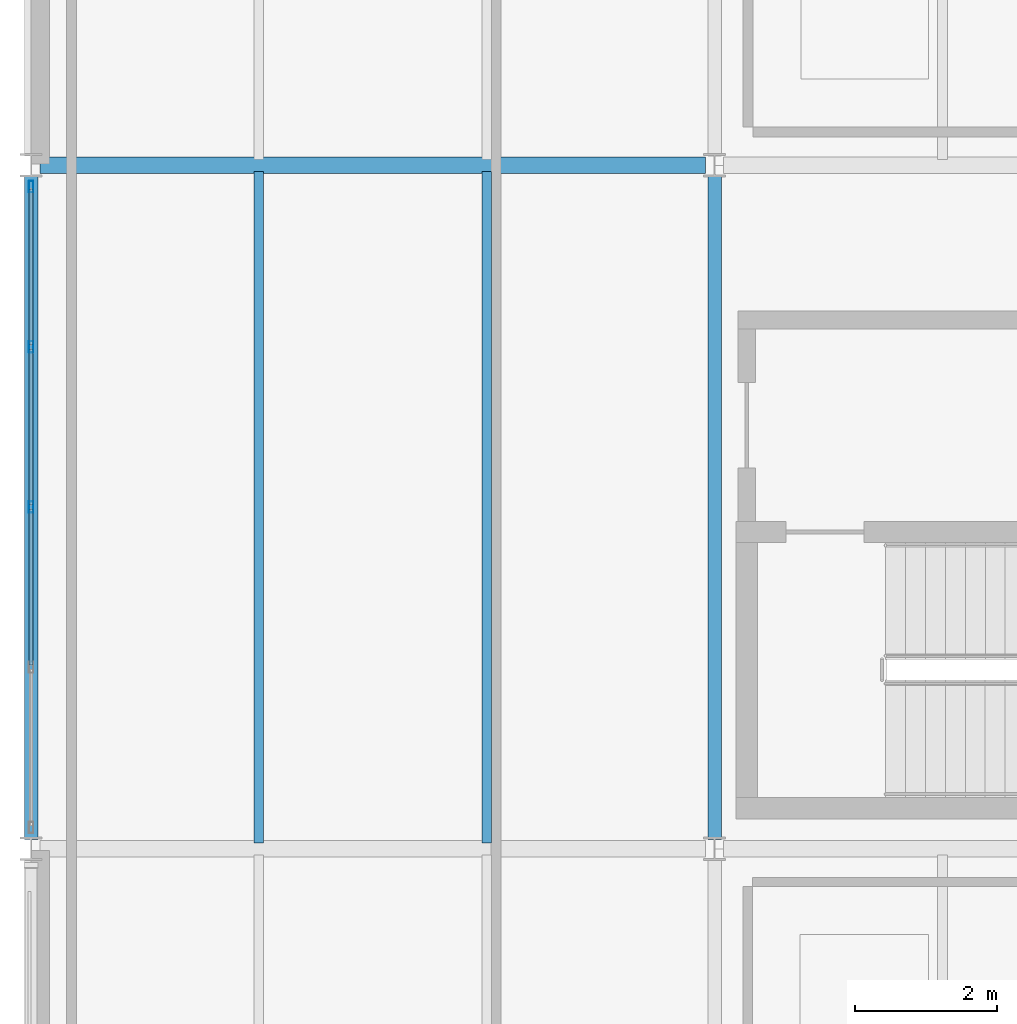
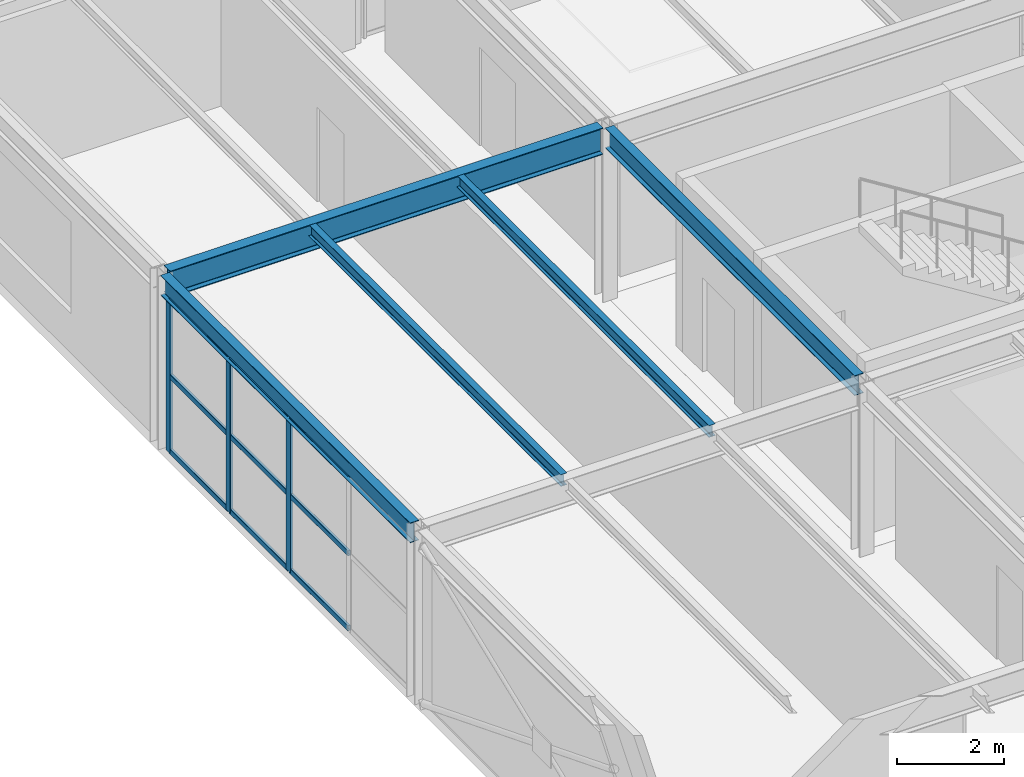
# One storey, part 28 of 50: 12 members, 5 beams, 1 element without a shape of its own.
"""IFC4 building model written with IfcOpenShell, lengths in metres."""

from ifc_helpers import new_model, si_unit, direction, frame, origin, origin_2d, place, context, subcontext, project, spatial, hollow_rectangle, i_section, extrude, material, material_profile, profile_set, type_object, element, aggregate, save


model = new_model("IFC4")

# Units and contexts
model_context = context("Model", 3, precision=1e-05, world=origin(), true_north=direction((0.0, 1.0)))
body_context = subcontext(model_context, "Body", "Model", "MODEL_VIEW")
ifc_project = project(units=[si_unit("LENGTHUNIT", "METRE"), si_unit("AREAUNIT", "SQUARE_METRE"), si_unit("VOLUMEUNIT", "CUBIC_METRE"), si_unit("PLANEANGLEUNIT", "RADIAN"), si_unit("MASSUNIT", "GRAM", prefix="KILO")], contexts=[model_context])

# Site, building, storey
site_placement = place(None, origin())
site = spatial("IfcSite", under=ifc_project, at=site_placement, CompositionType="ELEMENT")
building_placement = place(site_placement, origin())
building = spatial("IfcBuilding", under=site, at=building_placement, Name="Coralgate Yard Interchange", CompositionType="ELEMENT")
storey_placement = place(building_placement, frame((0.0, 0.0, 14.699951171875)))
storey = spatial("IfcBuildingStorey", under=building, at=storey_placement, Name="L03", CompositionType="ELEMENT", Elevation=14.699951171875)

# Beams
ifc_material_1 = material(Name="Structural steel S355J2", Category="steel")
ifc_material_profile_1 = material_profile(ifc_material_1, i_section(OverallWidth=0.1904296875, OverallDepth=0.45703125, WebThickness=0.009033203125, FlangeThickness=0.014404296875, FilletRadius=0.01025390625, at=origin_2d()), Name="UB 457x191x74")
ifc_profile_set_1 = profile_set([ifc_material_profile_1], Name="Structural steel S355J2")
beam_type_1 = type_object("IfcBeamType", Name="BM-SB-2", PredefinedType="BEAM", material=ifc_profile_set_1)
for number, where, z_axis, x_axis, name in (
    (1, (0.0, 28.93359375, 3.721435546875), (0.0, 1.0, 0.0), (-1.0, 0.0, 0.0), "L03 primary grid girder X0 Y3-4"),
    (2, (9.60009765625, 28.93359375, 3.721435546875), (0.0, 1.0, 0.0), (-1.0, 0.0, 0.0), "L03 primary grid girder X1 Y3-4"),
):
    element("IfcBeam", number, at=place(storey_placement, frame(where, z_axis=z_axis, x_axis=x_axis)), inside=storey, type_object=beam_type_1, Name=name, PredefinedType="BEAM", context=body_context, shape_type="SweptSolid", body=[
        extrude(i_section(OverallWidth=0.1904296875, OverallDepth=0.45703125, WebThickness=0.009033203125, FlangeThickness=0.014404296875, FilletRadius=0.01025390625, at=origin_2d()), origin(), (0.0, 0.0, 1.0), 9.332763671875),
    ])
ifc_material_profile_2 = material_profile(ifc_material_1, i_section(OverallWidth=0.228271484375, OverallDepth=0.607666015625, WebThickness=0.010986328125, FlangeThickness=0.017333984375, FilletRadius=0.0126953125, at=origin_2d()), Name="UB 610x229x113")
ifc_profile_set_2 = profile_set([ifc_material_profile_2], Name="Structural steel S355J2")
beam_type_2 = type_object("IfcBeamType", Name="BM-SG-5", PredefinedType="BEAM", material=ifc_profile_set_2)
beam_placement = place(storey_placement, frame((0.12548828125, 38.39990234375, 3.646240234375), z_axis=(1.0, 0.0, 0.0), x_axis=(0.0, 1.0, 0.0)))
element("IfcBeam", 3, at=beam_placement, inside=storey, type_object=beam_type_2, Name="L03 primary grid beam Y4 X0-1", PredefinedType="BEAM", context=body_context, shape_type="SweptSolid", body=[
    extrude(i_section(OverallWidth=0.228271484375, OverallDepth=0.607666015625, WebThickness=0.010986328125, FlangeThickness=0.017333984375, FilletRadius=0.0126953125, at=origin_2d()), origin(), (0.0, 0.0, 1.0), 9.348876953125),
])
ifc_material_profile_3 = material_profile(ifc_material_1, i_section(OverallWidth=0.135009765625, OverallDepth=0.27001953125, WebThickness=0.006591796875, FlangeThickness=0.01025390625, FilletRadius=0.014892578125, at=origin_2d()), Name="IPE 270")
ifc_profile_set_3 = profile_set([ifc_material_profile_3], Name="Structural steel S355J2")
beam_type_3 = type_object("IfcBeamType", Name="BM-SJ-3", PredefinedType="JOIST", material=ifc_profile_set_3)
for number, where, z_axis, x_axis, name in (
    (4, (3.199951171875, 28.884033203125, 3.81494140625), (0.0, 1.0, 0.0), (-1.0, 0.0, 0.0), "L03 composite floor joist 0-3-1"),
    (5, (6.39990234375, 28.884033203125, 3.81494140625), (0.0, 1.0, 0.0), (-1.0, 0.0, 0.0), "L03 composite floor joist 0-3-2"),
):
    element("IfcBeam", number, at=place(storey_placement, frame(where, z_axis=z_axis, x_axis=x_axis)), inside=storey, type_object=beam_type_3, Name=name, PredefinedType="JOIST", context=body_context, shape_type="SweptSolid", body=[
        extrude(i_section(OverallWidth=0.135009765625, OverallDepth=0.27001953125, WebThickness=0.006591796875, FlangeThickness=0.01025390625, FilletRadius=0.014892578125, at=origin_2d()), origin(), (0.0, 0.0, 1.0), 9.431884765625),
    ])

# Curtain wall, members
ifc_material_2 = material(Name="Anodised coastal aluminium and solar-control low-E glass", Category="aluminium")
curtain_wall_type = type_object("IfcCurtainWallType", Name="CW-CW-L03-A", PredefinedType="NOTDEFINED", material=ifc_material_2)
curtain_wall_placement = place(storey_placement, origin())
curtain_wall = element("IfcCurtainWall", 6, at=curtain_wall_placement, inside=storey, type_object=curtain_wall_type, Name="L03 unitised curtain wall CW-L03-W-00-03", PredefinedType="NOTDEFINED")
ifc_material_3 = material(Name="Anodised coastal aluminium 6063-T6", Category="aluminium")
ifc_material_profile_4 = material_profile(ifc_material_3, hollow_rectangle(XDim=0.06494140625, YDim=0.159912109375, WallThickness=0.00390625, InnerFilletRadius=0.00390625, OuterFilletRadius=0.008056640625, at=origin_2d()), Name="ALU 65x160x4")
ifc_profile_set_4 = profile_set([ifc_material_profile_4], Name="Anodised coastal aluminium 6063-T6")
member_type_1 = type_object("IfcMemberType", Name="MB-MUL-160", PredefinedType="MULLION", material=ifc_profile_set_4)
member_1_placement = place(storey_placement, frame((0.0, 33.60009765625, 0.0), z_axis=(0.0, 0.0, 1.0), x_axis=(1.0, 0.0, 0.0)))
member_1 = element("IfcMember", 7, at=member_1_placement, type_object=member_type_1, Name="CW-L03-W-00-03 vertical mullion 3", PredefinedType="MULLION", context=body_context, shape_type="SweptSolid", body=[
    extrude(hollow_rectangle(XDim=0.06494140625, YDim=0.159912109375, WallThickness=0.00390625, InnerFilletRadius=0.00390625, OuterFilletRadius=0.008056640625, at=origin_2d()), origin(), (0.0, 0.0, 1.0), 3.4931640625),
])
member_2_placement = place(storey_placement, frame((0.0, 35.85009765625, 0.0), z_axis=(0.0, 0.0, 1.0), x_axis=(1.0, 0.0, 0.0)))
member_2 = element("IfcMember", 8, at=member_2_placement, type_object=member_type_1, Name="CW-L03-W-00-03 vertical mullion 4", PredefinedType="MULLION", context=body_context, shape_type="SweptSolid", body=[
    extrude(hollow_rectangle(XDim=0.06494140625, YDim=0.159912109375, WallThickness=0.00390625, InnerFilletRadius=0.00390625, OuterFilletRadius=0.008056640625, at=origin_2d()), origin(), (0.0, 0.0, 1.0), 3.4931640625),
])
member_3_placement = place(storey_placement, frame((0.0, 38.10009765625, 0.0), z_axis=(0.0, 0.0, 1.0), x_axis=(1.0, 0.0, 0.0)))
member_3 = element("IfcMember", 9, at=member_3_placement, type_object=member_type_1, Name="CW-L03-W-00-03 vertical mullion 5", PredefinedType="MULLION", context=body_context, shape_type="SweptSolid", body=[
    extrude(hollow_rectangle(XDim=0.06494140625, YDim=0.159912109375, WallThickness=0.00390625, InnerFilletRadius=0.00390625, OuterFilletRadius=0.008056640625, at=origin_2d()), origin(), (0.0, 0.0, 1.0), 3.4931640625),
])
ifc_material_profile_5 = material_profile(ifc_material_3, hollow_rectangle(XDim=0.06005859375, YDim=0.1201171875, WallThickness=0.00341796875, InnerFilletRadius=0.00341796875, OuterFilletRadius=0.007080078125, at=origin_2d()), Name="ALU 60x120x3.5")
ifc_profile_set_5 = profile_set([ifc_material_profile_5], Name="Anodised coastal aluminium 6063-T6")
member_type_2 = type_object("IfcMemberType", Name="MB-TRN-120", PredefinedType="USERDEFINED", material=ifc_profile_set_5)
member_4_placement = place(storey_placement, frame((0.0, 31.3798828125, 0.03515625), z_axis=(0.0, 1.0, 0.0), x_axis=(-1.0, 0.0, 0.0)))
member_4 = element("IfcMember", 10, at=member_4_placement, type_object=member_type_2, Name="CW-L03-W-00-03 horizontal transom 2-1", ObjectType="TRANSOM", PredefinedType="USERDEFINED", context=body_context, shape_type="SweptSolid", body=[
    extrude(hollow_rectangle(XDim=0.06005859375, YDim=0.1201171875, WallThickness=0.00341796875, InnerFilletRadius=0.00341796875, OuterFilletRadius=0.007080078125, at=origin_2d()), origin(), (0.0, 0.0, 1.0), 2.190185546875),
])
member_5_placement = place(storey_placement, frame((0.0, 31.3798828125, 1.74658203125), z_axis=(0.0, 1.0, 0.0), x_axis=(-1.0, 0.0, 0.0)))
member_5 = element("IfcMember", 11, at=member_5_placement, type_object=member_type_2, Name="CW-L03-W-00-03 horizontal transom 2-2", ObjectType="TRANSOM", PredefinedType="USERDEFINED", context=body_context, shape_type="SweptSolid", body=[
    extrude(hollow_rectangle(XDim=0.06005859375, YDim=0.1201171875, WallThickness=0.00341796875, InnerFilletRadius=0.00341796875, OuterFilletRadius=0.007080078125, at=origin_2d()), origin(), (0.0, 0.0, 1.0), 2.190185546875),
])
member_6_placement = place(storey_placement, frame((0.0, 31.3798828125, 3.4580078125), z_axis=(0.0, 1.0, 0.0), x_axis=(-1.0, 0.0, 0.0)))
member_6 = element("IfcMember", 12, at=member_6_placement, type_object=member_type_2, Name="CW-L03-W-00-03 horizontal transom 2-3", ObjectType="TRANSOM", PredefinedType="USERDEFINED", context=body_context, shape_type="SweptSolid", body=[
    extrude(hollow_rectangle(XDim=0.06005859375, YDim=0.1201171875, WallThickness=0.00341796875, InnerFilletRadius=0.00341796875, OuterFilletRadius=0.007080078125, at=origin_2d()), origin(), (0.0, 0.0, 1.0), 2.190185546875),
])
member_7_placement = place(storey_placement, frame((0.0, 33.6298828125, 0.03515625), z_axis=(0.0, 1.0, 0.0), x_axis=(-1.0, 0.0, 0.0)))
member_7 = element("IfcMember", 13, at=member_7_placement, type_object=member_type_2, Name="CW-L03-W-00-03 horizontal transom 3-1", ObjectType="TRANSOM", PredefinedType="USERDEFINED", context=body_context, shape_type="SweptSolid", body=[
    extrude(hollow_rectangle(XDim=0.06005859375, YDim=0.1201171875, WallThickness=0.00341796875, InnerFilletRadius=0.00341796875, OuterFilletRadius=0.007080078125, at=origin_2d()), origin(), (0.0, 0.0, 1.0), 2.190185546875),
])
member_8_placement = place(storey_placement, frame((0.0, 33.6298828125, 1.74658203125), z_axis=(0.0, 1.0, 0.0), x_axis=(-1.0, 0.0, 0.0)))
member_8 = element("IfcMember", 14, at=member_8_placement, type_object=member_type_2, Name="CW-L03-W-00-03 horizontal transom 3-2", ObjectType="TRANSOM", PredefinedType="USERDEFINED", context=body_context, shape_type="SweptSolid", body=[
    extrude(hollow_rectangle(XDim=0.06005859375, YDim=0.1201171875, WallThickness=0.00341796875, InnerFilletRadius=0.00341796875, OuterFilletRadius=0.007080078125, at=origin_2d()), origin(), (0.0, 0.0, 1.0), 2.190185546875),
])
member_9_placement = place(storey_placement, frame((0.0, 33.6298828125, 3.4580078125), z_axis=(0.0, 1.0, 0.0), x_axis=(-1.0, 0.0, 0.0)))
member_9 = element("IfcMember", 15, at=member_9_placement, type_object=member_type_2, Name="CW-L03-W-00-03 horizontal transom 3-3", ObjectType="TRANSOM", PredefinedType="USERDEFINED", context=body_context, shape_type="SweptSolid", body=[
    extrude(hollow_rectangle(XDim=0.06005859375, YDim=0.1201171875, WallThickness=0.00341796875, InnerFilletRadius=0.00341796875, OuterFilletRadius=0.007080078125, at=origin_2d()), origin(), (0.0, 0.0, 1.0), 2.190185546875),
])
member_10_placement = place(storey_placement, frame((0.0, 35.8798828125, 0.03515625), z_axis=(0.0, 1.0, 0.0), x_axis=(-1.0, 0.0, 0.0)))
member_10 = element("IfcMember", 16, at=member_10_placement, type_object=member_type_2, Name="CW-L03-W-00-03 horizontal transom 4-1", ObjectType="TRANSOM", PredefinedType="USERDEFINED", context=body_context, shape_type="SweptSolid", body=[
    extrude(hollow_rectangle(XDim=0.06005859375, YDim=0.1201171875, WallThickness=0.00341796875, InnerFilletRadius=0.00341796875, OuterFilletRadius=0.007080078125, at=origin_2d()), origin(), (0.0, 0.0, 1.0), 2.190185546875),
])
member_11_placement = place(storey_placement, frame((0.0, 35.8798828125, 1.74658203125), z_axis=(0.0, 1.0, 0.0), x_axis=(-1.0, 0.0, 0.0)))
member_11 = element("IfcMember", 17, at=member_11_placement, type_object=member_type_2, Name="CW-L03-W-00-03 horizontal transom 4-2", ObjectType="TRANSOM", PredefinedType="USERDEFINED", context=body_context, shape_type="SweptSolid", body=[
    extrude(hollow_rectangle(XDim=0.06005859375, YDim=0.1201171875, WallThickness=0.00341796875, InnerFilletRadius=0.00341796875, OuterFilletRadius=0.007080078125, at=origin_2d()), origin(), (0.0, 0.0, 1.0), 2.190185546875),
])
member_12_placement = place(storey_placement, frame((0.0, 35.8798828125, 3.4580078125), z_axis=(0.0, 1.0, 0.0), x_axis=(-1.0, 0.0, 0.0)))
member_12 = element("IfcMember", 18, at=member_12_placement, type_object=member_type_2, Name="CW-L03-W-00-03 horizontal transom 4-3", ObjectType="TRANSOM", PredefinedType="USERDEFINED", context=body_context, shape_type="SweptSolid", body=[
    extrude(hollow_rectangle(XDim=0.06005859375, YDim=0.1201171875, WallThickness=0.00341796875, InnerFilletRadius=0.00341796875, OuterFilletRadius=0.007080078125, at=origin_2d()), origin(), (0.0, 0.0, 1.0), 2.190185546875),
])
aggregate(curtain_wall, [member_1, member_2, member_3, member_4, member_5, member_6, member_7, member_8, member_9, member_10, member_11, member_12])

save(model, "model.ifc")
